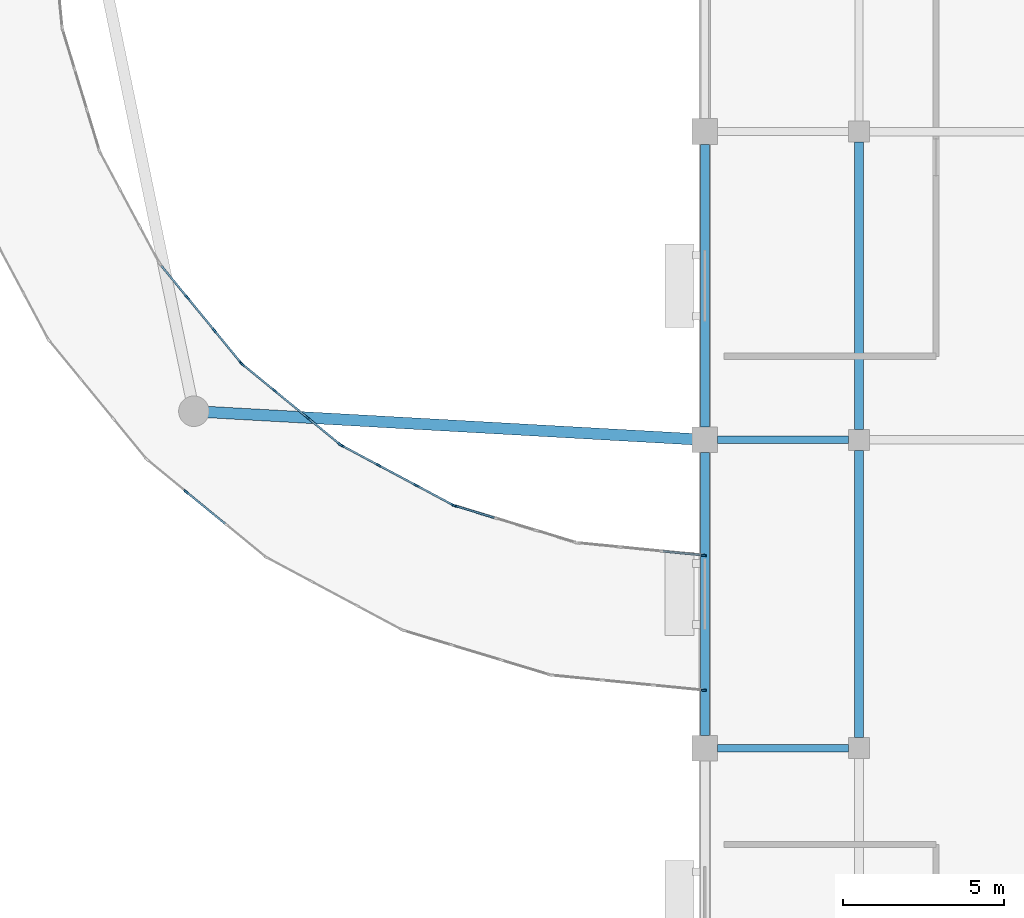
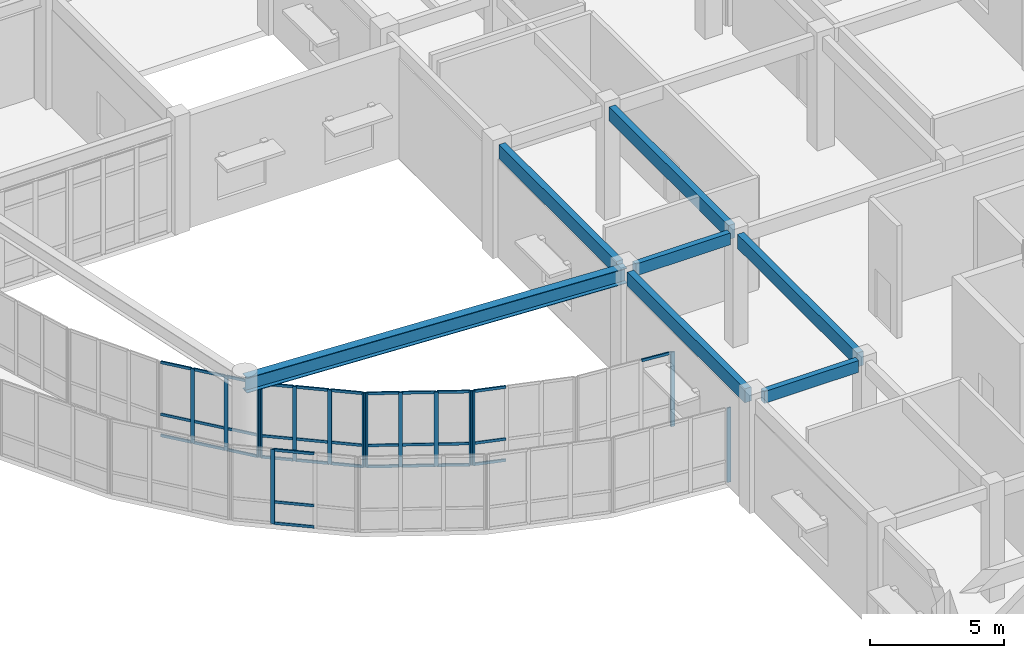
# One storey, part 32 of 72: 49 members, 7 beams, 7 elements without a shape of their own.
"""IFC4 building model written with IfcOpenShell, lengths in metres."""

from ifc_helpers import new_model, si_unit, direction, frame, origin, origin_2d, place, context, subcontext, project, spatial, rectangle, i_section, extrude, material, material_profile, profile_set, type_object, element, aggregate, save


model = new_model("IFC4")

# Units and contexts
model_context = context("Model", 3, precision=1e-05, world=origin(), true_north=direction((0.0, 1.0)))
body_context = subcontext(model_context, "Body", "Model", "MODEL_VIEW")
ifc_project = project(units=[si_unit("LENGTHUNIT", "METRE"), si_unit("AREAUNIT", "SQUARE_METRE"), si_unit("VOLUMEUNIT", "CUBIC_METRE"), si_unit("PLANEANGLEUNIT", "RADIAN"), si_unit("MASSUNIT", "GRAM", prefix="KILO")], contexts=[model_context])

# Site, building, storey
site_placement = place(None, origin())
site = spatial("IfcSite", under=ifc_project, at=site_placement, CompositionType="ELEMENT")
building_placement = place(site_placement, origin())
building = spatial("IfcBuilding", under=site, at=building_placement, Name="Veldera Park Congress Hotel", CompositionType="ELEMENT")
storey_placement = place(building_placement, frame((0.0, 0.0, 5.39990234375)))
storey = spatial("IfcBuildingStorey", under=building, at=storey_placement, Name="L01", CompositionType="ELEMENT", Elevation=5.39990234375)

# Beams
ifc_material_1 = material(Name="Glulam GL28h (NDS 24F-V4)", Category="wood")
ifc_material_profile_1 = material_profile(ifc_material_1, rectangle(XDim=0.239990234375, YDim=0.5400390625, at=origin_2d()), Name="GL28h 240x540")
ifc_profile_set_1 = profile_set([ifc_material_profile_1], Name="Glulam GL28h (NDS 24F-V4)")
beam_type_1 = type_object("IfcBeamType", Name="BM-GL540", PredefinedType="BEAM", material=ifc_profile_set_1)
for number, where, z_axis, x_axis, name in (
    (1, (61.199951171875, -9.0, 4.860107421875), (1.0, 0.0, 0.0), (0.0, 1.0, 0.0), "L01 Girder BM-GL540 583"),
    (2, (61.199951171875, 0.60009765625, 4.860107421875), (1.0, 0.0, 0.0), (0.0, 1.0, 0.0), "L01 Girder BM-GL540 587"),
):
    element("IfcBeam", number, at=place(storey_placement, frame(where, z_axis=z_axis, x_axis=x_axis)), inside=storey, type_object=beam_type_1, Name=name, PredefinedType="BEAM", context=body_context, shape_type="SweptSolid", body=[
        extrude(rectangle(XDim=0.239990234375, YDim=0.5400390625, at=origin_2d()), origin(), (0.0, 0.0, 1.0), 4.074951171875),
    ])
ifc_material_profile_2 = material_profile(ifc_material_1, rectangle(XDim=0.280029296875, YDim=0.639892578125, at=origin_2d()), Name="GL28h 280x640")
ifc_profile_set_2 = profile_set([ifc_material_profile_2], Name="Glulam GL28h (NDS 24F-V4)")
beam_type_2 = type_object("IfcBeamType", Name="BM-GL640", PredefinedType="BEAM", material=ifc_profile_set_2)
for number, where, z_axis, x_axis, name in (
    (3, (60.800048828125, -8.60009765625, 4.81005859375), (0.0, 1.0, 0.0), (-1.0, 0.0, 0.0), "L01 Girder BM-GL640 728"),
    (4, (60.800048828125, 1.0, 4.81005859375), (0.0, 1.0, 0.0), (-1.0, 0.0, 0.0), "L01 Girder BM-GL640 729"),
):
    element("IfcBeam", number, at=place(storey_placement, frame(where, z_axis=z_axis, x_axis=x_axis)), inside=storey, type_object=beam_type_2, Name=name, PredefinedType="BEAM", context=body_context, shape_type="SweptSolid", body=[
        extrude(rectangle(XDim=0.280029296875, YDim=0.639892578125, at=origin_2d()), origin(), (0.0, 0.0, 1.0), 8.800048828125),
    ])
for number, where, z_axis, x_axis, name in (
    (5, (65.60009765625, -8.675048828125, 4.81005859375), (0.0, 1.0, 0.0), (-1.0, 0.0, 0.0), "L01 Girder BM-GL640 735"),
    (6, (65.60009765625, 0.925048828125, 4.81005859375), (0.0, 1.0, 0.0), (-1.0, 0.0, 0.0), "L01 Girder BM-GL640 736"),
):
    element("IfcBeam", number, at=place(storey_placement, frame(where, z_axis=z_axis, x_axis=x_axis)), inside=storey, type_object=beam_type_2, Name=name, PredefinedType="BEAM", context=body_context, shape_type="SweptSolid", body=[
        extrude(rectangle(XDim=0.280029296875, YDim=0.639892578125, at=origin_2d()), origin(), (0.0, 0.0, 1.0), 8.949951171875),
    ])
ifc_material_2 = material(Name="Steel ASTM A992 Gr.50", Category="steel")
ifc_material_profile_3 = material_profile(ifc_material_2, i_section(OverallWidth=0.35498046875, OverallDepth=0.696044921875, WebThickness=0.015380859375, FlangeThickness=0.02490234375, at=origin_2d()), Name="W27X146")
ifc_profile_set_3 = profile_set([ifc_material_profile_3], Name="Steel ASTM A992 Gr.50")
beam_type_3 = type_object("IfcBeamType", Name="BM-W27E", PredefinedType="BEAM", material=ifc_profile_set_3)
beam_placement = place(storey_placement, frame((60.800048828125, 0.60009765625, 4.7900390625), z_axis=(-0.998439398409, 0.055845928264, 0.0), x_axis=(-0.055845928264, -0.998439398409, 0.0)))
element("IfcBeam", 7, at=beam_placement, inside=storey, type_object=beam_type_3, Name="L01 Skybridge Support Girder A E", PredefinedType="BEAM", context=body_context, shape_type="SweptSolid", body=[
    extrude(i_section(OverallWidth=0.35498046875, OverallDepth=0.696044921875, WebThickness=0.015380859375, FlangeThickness=0.02490234375, at=origin_2d()), origin(), (0.0, 0.0, 1.0), 15.934814453125),
])

# Curtain wall, member
ifc_material_3 = material(Name="Low-E Triple Insulating Glass Unit (SHGC 0.22)", Category="glass")
curtain_wall_type = type_object("IfcCurtainWallType", Name="CW-BRG", PredefinedType="NOTDEFINED", material=ifc_material_3)
curtain_wall_1_placement = place(storey_placement, origin())
curtain_wall_1 = element("IfcCurtainWall", 8, at=curtain_wall_1_placement, inside=storey, type_object=curtain_wall_type, Name="L01 Curtain Wall CW3-BRGE-L01-A04", PredefinedType="NOTDEFINED")
ifc_material_4 = material(Name="Anodised Aluminium Alloy 6063-T6", Category="aluminium")
ifc_material_profile_4 = material_profile(ifc_material_4, rectangle(XDim=0.06005859375, YDim=0.159912109375, at=origin_2d()), Name="ALU 60x160")
ifc_profile_set_4 = profile_set([ifc_material_profile_4], Name="Anodised Aluminium Alloy 6063-T6")
member_type_1 = type_object("IfcMemberType", Name="CWM-160", PredefinedType="MULLION", material=ifc_profile_set_4)
member_1_placement = place(storey_placement, frame((44.647705078125, -1.0146484375, 0.0), z_axis=(0.0, 0.0, 1.0), x_axis=(0.634402404183, 0.773002968666, 0.0)))
member_1 = element("IfcMember", 9, at=member_1_placement, type_object=member_type_1, Name="CW-BRG mullion 2", PredefinedType="MULLION", context=body_context, shape_type="SweptSolid", body=[
    extrude(rectangle(XDim=0.06005859375, YDim=0.159912109375, at=origin_2d()), origin(), (0.0, 0.0, 1.0), 3.400146484375),
])

curtain_wall_2_placement = place(storey_placement, origin())
curtain_wall_2 = element("IfcCurtainWall", 10, at=curtain_wall_2_placement, inside=storey, type_object=curtain_wall_type, Name="L01 Curtain Wall CW3-BRGE-L01-A07", PredefinedType="NOTDEFINED")
member_2_placement = place(storey_placement, frame((60.770263671875, -7.197021484375, 0.0), z_axis=(0.0, 0.0, 1.0), x_axis=(0.098021259481, 0.995184320963, 0.0)))
member_2 = element("IfcMember", 11, at=member_2_placement, type_object=member_type_1, Name="CW-BRG mullion 4", PredefinedType="MULLION", context=body_context, shape_type="SweptSolid", body=[
    extrude(rectangle(XDim=0.06005859375, YDim=0.159912109375, at=origin_2d()), origin(), (0.0, 0.0, 1.0), 3.400146484375),
])
aggregate(curtain_wall_2, [member_2])

curtain_wall_3_placement = place(storey_placement, origin())
curtain_wall_3 = element("IfcCurtainWall", 12, at=curtain_wall_3_placement, inside=storey, type_object=curtain_wall_type, Name="L01 Curtain Wall CW3-BRGE-L01-B09", PredefinedType="NOTDEFINED")
member_3_placement = place(storey_placement, frame((60.770263671875, -2.9970703125, 0.0), z_axis=(0.0, 0.0, 1.0), x_axis=(-0.098023062513, -0.99518414337, 0.0)))
member_3 = element("IfcMember", 13, at=member_3_placement, type_object=member_type_1, Name="CW-BRG mullion 1", PredefinedType="MULLION", context=body_context, shape_type="SweptSolid", body=[
    extrude(rectangle(XDim=0.06005859375, YDim=0.159912109375, at=origin_2d()), origin(), (0.0, 0.0, 1.0), 3.400146484375),
])

curtain_wall_4_placement = place(storey_placement, origin())
curtain_wall_4 = element("IfcCurtainWall", 14, at=curtain_wall_4_placement, inside=storey, type_object=curtain_wall_type, Name="L01 Curtain Wall CW3-BRGE-L01-B10", PredefinedType="NOTDEFINED")
member_4_placement = place(storey_placement, frame((53.02197265625, -1.455810546875, 0.0), z_axis=(0.0, 0.0, 1.0), x_axis=(-0.290289846929, -0.956938767513, 0.0)))
member_4 = element("IfcMember", 15, at=member_4_placement, type_object=member_type_1, Name="CW-BRG mullion 4", PredefinedType="MULLION", context=body_context, shape_type="SweptSolid", body=[
    extrude(rectangle(XDim=0.06005859375, YDim=0.159912109375, at=origin_2d()), origin(), (0.0, 0.0, 1.0), 3.400146484375),
])

# Curtain wall, members
curtain_wall_5_placement = place(storey_placement, origin())
curtain_wall_5 = element("IfcCurtainWall", 16, at=curtain_wall_5_placement, inside=storey, type_object=curtain_wall_type, Name="L01 Curtain Wall CW3-BRGE-L01-B11", PredefinedType="NOTDEFINED")
member_5_placement = place(storey_placement, frame((52.966796875, -1.432861328125, 0.0), z_axis=(0.0, 0.0, 1.0), x_axis=(-0.471383642588, -0.881928263239, 0.0)))
member_5 = element("IfcMember", 17, at=member_5_placement, type_object=member_type_1, Name="CW-BRG mullion 1", PredefinedType="MULLION", context=body_context, shape_type="SweptSolid", body=[
    extrude(rectangle(XDim=0.06005859375, YDim=0.159912109375, at=origin_2d()), origin(), (0.0, 0.0, 1.0), 3.400146484375),
])
member_6_placement = place(storey_placement, frame((51.817626953125, -0.81884765625, 0.0), z_axis=(0.0, 0.0, 1.0), x_axis=(-0.471383642588, -0.881928263239, 0.0)))
member_6 = element("IfcMember", 18, at=member_6_placement, type_object=member_type_1, Name="CW-BRG mullion 2", PredefinedType="MULLION", context=body_context, shape_type="SweptSolid", body=[
    extrude(rectangle(XDim=0.06005859375, YDim=0.159912109375, at=origin_2d()), origin(), (0.0, 0.0, 1.0), 3.400146484375),
])
member_7_placement = place(storey_placement, frame((50.64208984375, -0.1904296875, 0.0), z_axis=(0.0, 0.0, 1.0), x_axis=(-0.471383642588, -0.881928263239, 0.0)))
member_7 = element("IfcMember", 19, at=member_7_placement, type_object=member_type_1, Name="CW-BRG mullion 3", PredefinedType="MULLION", context=body_context, shape_type="SweptSolid", body=[
    extrude(rectangle(XDim=0.06005859375, YDim=0.159912109375, at=origin_2d()), origin(), (0.0, 0.0, 1.0), 3.400146484375),
])
member_8_placement = place(storey_placement, frame((49.492919921875, 0.423828125, 0.0), z_axis=(0.0, 0.0, 1.0), x_axis=(-0.471383642588, -0.881928263239, 0.0)))
member_8 = element("IfcMember", 20, at=member_8_placement, type_object=member_type_1, Name="CW-BRG mullion 4", PredefinedType="MULLION", context=body_context, shape_type="SweptSolid", body=[
    extrude(rectangle(XDim=0.06005859375, YDim=0.159912109375, at=origin_2d()), origin(), (0.0, 0.0, 1.0), 3.400146484375),
])

curtain_wall_6_placement = place(storey_placement, origin())
curtain_wall_6 = element("IfcCurtainWall", 21, at=curtain_wall_6_placement, inside=storey, type_object=curtain_wall_type, Name="L01 Curtain Wall CW3-BRGE-L01-B12", PredefinedType="NOTDEFINED")
member_9_placement = place(storey_placement, frame((49.443115234375, 0.45703125, 0.0), z_axis=(0.0, 0.0, 1.0), x_axis=(-0.634386349036, -0.773016144823, 0.0)))
member_9 = element("IfcMember", 22, at=member_9_placement, type_object=member_type_1, Name="CW-BRG mullion 1", PredefinedType="MULLION", context=body_context, shape_type="SweptSolid", body=[
    extrude(rectangle(XDim=0.06005859375, YDim=0.159912109375, at=origin_2d()), origin(), (0.0, 0.0, 1.0), 3.400146484375),
])
member_10_placement = place(storey_placement, frame((48.43603515625, 1.28369140625, 0.0), z_axis=(0.0, 0.0, 1.0), x_axis=(-0.634386349036, -0.773016144823, 0.0)))
member_10 = element("IfcMember", 23, at=member_10_placement, type_object=member_type_1, Name="CW-BRG mullion 2", PredefinedType="MULLION", context=body_context, shape_type="SweptSolid", body=[
    extrude(rectangle(XDim=0.06005859375, YDim=0.159912109375, at=origin_2d()), origin(), (0.0, 0.0, 1.0), 3.400146484375),
])
member_11_placement = place(storey_placement, frame((47.405517578125, 2.12939453125, 0.0), z_axis=(0.0, 0.0, 1.0), x_axis=(-0.634386349036, -0.773016144823, 0.0)))
member_11 = element("IfcMember", 24, at=member_11_placement, type_object=member_type_1, Name="CW-BRG mullion 3", PredefinedType="MULLION", context=body_context, shape_type="SweptSolid", body=[
    extrude(rectangle(XDim=0.06005859375, YDim=0.159912109375, at=origin_2d()), origin(), (0.0, 0.0, 1.0), 3.400146484375),
])
member_12_placement = place(storey_placement, frame((46.398193359375, 2.9560546875, 0.0), z_axis=(0.0, 0.0, 1.0), x_axis=(-0.634386349036, -0.773016144823, 0.0)))
member_12 = element("IfcMember", 25, at=member_12_placement, type_object=member_type_1, Name="CW-BRG mullion 4", PredefinedType="MULLION", context=body_context, shape_type="SweptSolid", body=[
    extrude(rectangle(XDim=0.06005859375, YDim=0.159912109375, at=origin_2d()), origin(), (0.0, 0.0, 1.0), 3.400146484375),
])

curtain_wall_7_placement = place(storey_placement, origin())
curtain_wall_7 = element("IfcCurtainWall", 26, at=curtain_wall_7_placement, inside=storey, type_object=curtain_wall_type, Name="L01 Curtain Wall CW3-BRGE-L01-B13", PredefinedType="NOTDEFINED")
member_13_placement = place(storey_placement, frame((46.35595703125, 2.998291015625, 0.0), z_axis=(0.0, 0.0, 1.0), x_axis=(-0.773016144823, -0.634386349036, 0.0)))
member_13 = element("IfcMember", 27, at=member_13_placement, type_object=member_type_1, Name="CW-BRG mullion 1", PredefinedType="MULLION", context=body_context, shape_type="SweptSolid", body=[
    extrude(rectangle(XDim=0.06005859375, YDim=0.159912109375, at=origin_2d()), origin(), (0.0, 0.0, 1.0), 3.400146484375),
])
member_14_placement = place(storey_placement, frame((45.529296875, 4.00537109375, 0.0), z_axis=(0.0, 0.0, 1.0), x_axis=(-0.773016144823, -0.634386349036, 0.0)))
member_14 = element("IfcMember", 28, at=member_14_placement, type_object=member_type_1, Name="CW-BRG mullion 2", PredefinedType="MULLION", context=body_context, shape_type="SweptSolid", body=[
    extrude(rectangle(XDim=0.06005859375, YDim=0.159912109375, at=origin_2d()), origin(), (0.0, 0.0, 1.0), 3.400146484375),
])
member_15_placement = place(storey_placement, frame((44.68359375, 5.035888671875, 0.0), z_axis=(0.0, 0.0, 1.0), x_axis=(-0.773016144823, -0.634386349036, 0.0)))
member_15 = element("IfcMember", 29, at=member_15_placement, type_object=member_type_1, Name="CW-BRG mullion 3", PredefinedType="MULLION", context=body_context, shape_type="SweptSolid", body=[
    extrude(rectangle(XDim=0.06005859375, YDim=0.159912109375, at=origin_2d()), origin(), (0.0, 0.0, 1.0), 3.400146484375),
])

# Member
ifc_material_profile_5 = material_profile(ifc_material_4, rectangle(XDim=0.06005859375, YDim=0.1201171875, at=origin_2d()), Name="ALU 60x120")
ifc_profile_set_5 = profile_set([ifc_material_profile_5], Name="Anodised Aluminium Alloy 6063-T6")
member_type_2 = type_object("IfcMemberType", Name="CWT-120", PredefinedType="USERDEFINED", material=ifc_profile_set_5)
member_16_placement = place(storey_placement, frame((44.6708984375, -1.03369140625, 0.030029296875), z_axis=(0.773035679716, -0.634362544518, 0.0), x_axis=(0.634362544518, 0.773035679716, 0.0)))
member_16 = element("IfcMember", 30, at=member_16_placement, type_object=member_type_2, Name="CW-BRG transom 2.1", ObjectType="TRANSOM", PredefinedType="USERDEFINED", context=body_context, shape_type="SweptSolid", body=[
    extrude(rectangle(XDim=0.06005859375, YDim=0.1201171875, at=origin_2d()), origin(), (0.0, 0.0, 1.0), 1.547607421875),
])

member_17_placement = place(storey_placement, frame((44.6708984375, -1.03369140625, 1.0), z_axis=(0.773035679716, -0.634362544518, 0.0), x_axis=(0.634362544518, 0.773035679716, 0.0)))
member_17 = element("IfcMember", 31, at=member_17_placement, type_object=member_type_2, Name="CW-BRG transom 2.2", ObjectType="TRANSOM", PredefinedType="USERDEFINED", context=body_context, shape_type="SweptSolid", body=[
    extrude(rectangle(XDim=0.06005859375, YDim=0.1201171875, at=origin_2d()), origin(), (0.0, 0.0, 1.0), 1.547607421875),
])

member_18_placement = place(storey_placement, frame((44.6708984375, -1.03369140625, 3.3701171875), z_axis=(0.773035679716, -0.634362544518, 0.0), x_axis=(0.634362544518, 0.773035679716, 0.0)))
member_18 = element("IfcMember", 32, at=member_18_placement, type_object=member_type_2, Name="CW-BRG transom 2.3", ObjectType="TRANSOM", PredefinedType="USERDEFINED", context=body_context, shape_type="SweptSolid", body=[
    extrude(rectangle(XDim=0.06005859375, YDim=0.1201171875, at=origin_2d()), origin(), (0.0, 0.0, 1.0), 1.547607421875),
])

aggregate(curtain_wall_1, [member_1, member_16, member_17, member_18])

member_19_placement = place(storey_placement, frame((60.740234375, -2.994140625, 3.3701171875), z_axis=(-0.995185798349, 0.098006258807, 0.0), x_axis=(-0.098006258807, -0.995185798349, 0.0)))
member_19 = element("IfcMember", 33, at=member_19_placement, type_object=member_type_2, Name="CW-BRG transom 1.3", ObjectType="TRANSOM", PredefinedType="USERDEFINED", context=body_context, shape_type="SweptSolid", body=[
    extrude(rectangle(XDim=0.06005859375, YDim=0.1201171875, at=origin_2d()), origin(), (0.0, 0.0, 1.0), 1.2431640625),
])

aggregate(curtain_wall_3, [member_3, member_19])

member_20_placement = place(storey_placement, frame((54.240234375, -1.825439453125, 0.030029296875), z_axis=(-0.956935154583, 0.290301756665, 0.0), x_axis=(-0.290301756665, -0.956935154583, 0.0)))
member_20 = element("IfcMember", 34, at=member_20_placement, type_object=member_type_2, Name="CW-BRG transom 3.1", ObjectType="TRANSOM", PredefinedType="USERDEFINED", context=body_context, shape_type="SweptSolid", body=[
    extrude(rectangle(XDim=0.06005859375, YDim=0.1201171875, at=origin_2d()), origin(), (0.0, 0.0, 1.0), 1.242919921875),
])

member_21_placement = place(storey_placement, frame((54.240234375, -1.825439453125, 1.0), z_axis=(-0.956935154583, 0.290301756665, 0.0), x_axis=(-0.290301756665, -0.956935154583, 0.0)))
member_21 = element("IfcMember", 35, at=member_21_placement, type_object=member_type_2, Name="CW-BRG transom 3.2", ObjectType="TRANSOM", PredefinedType="USERDEFINED", context=body_context, shape_type="SweptSolid", body=[
    extrude(rectangle(XDim=0.06005859375, YDim=0.1201171875, at=origin_2d()), origin(), (0.0, 0.0, 1.0), 1.242919921875),
])

member_22_placement = place(storey_placement, frame((54.240234375, -1.825439453125, 3.3701171875), z_axis=(-0.956935154583, 0.290301756665, 0.0), x_axis=(-0.290301756665, -0.956935154583, 0.0)))
member_22 = element("IfcMember", 36, at=member_22_placement, type_object=member_type_2, Name="CW-BRG transom 3.3", ObjectType="TRANSOM", PredefinedType="USERDEFINED", context=body_context, shape_type="SweptSolid", body=[
    extrude(rectangle(XDim=0.06005859375, YDim=0.1201171875, at=origin_2d()), origin(), (0.0, 0.0, 1.0), 1.242919921875),
])

aggregate(curtain_wall_4, [member_4, member_20, member_21, member_22])

member_23_placement = place(storey_placement, frame((52.9404296875, -1.418701171875, 0.030029296875), z_axis=(-0.881917589752, 0.471403611449, 0.0), x_axis=(-0.471403611449, -0.881917589752, 0.0)))
member_23 = element("IfcMember", 37, at=member_23_placement, type_object=member_type_2, Name="CW-BRG transom 1.1", ObjectType="TRANSOM", PredefinedType="USERDEFINED", context=body_context, shape_type="SweptSolid", body=[
    extrude(rectangle(XDim=0.06005859375, YDim=0.1201171875, at=origin_2d()), origin(), (0.0, 0.0, 1.0), 1.242919921875),
])

member_24_placement = place(storey_placement, frame((52.9404296875, -1.418701171875, 1.0), z_axis=(-0.881917589752, 0.471403611449, 0.0), x_axis=(-0.471403611449, -0.881917589752, 0.0)))
member_24 = element("IfcMember", 38, at=member_24_placement, type_object=member_type_2, Name="CW-BRG transom 1.2", ObjectType="TRANSOM", PredefinedType="USERDEFINED", context=body_context, shape_type="SweptSolid", body=[
    extrude(rectangle(XDim=0.06005859375, YDim=0.1201171875, at=origin_2d()), origin(), (0.0, 0.0, 1.0), 1.242919921875),
])

member_25_placement = place(storey_placement, frame((52.9404296875, -1.418701171875, 3.3701171875), z_axis=(-0.881917589752, 0.471403611449, 0.0), x_axis=(-0.471403611449, -0.881917589752, 0.0)))
member_25 = element("IfcMember", 39, at=member_25_placement, type_object=member_type_2, Name="CW-BRG transom 1.3", ObjectType="TRANSOM", PredefinedType="USERDEFINED", context=body_context, shape_type="SweptSolid", body=[
    extrude(rectangle(XDim=0.06005859375, YDim=0.1201171875, at=origin_2d()), origin(), (0.0, 0.0, 1.0), 1.242919921875),
])

member_26_placement = place(storey_placement, frame((51.791259765625, -0.8046875, 0.030029296875), z_axis=(-0.88193854117, 0.471364412741, 0.0), x_axis=(-0.471364412741, -0.88193854117, 0.0)))
member_26 = element("IfcMember", 40, at=member_26_placement, type_object=member_type_2, Name="CW-BRG transom 2.1", ObjectType="TRANSOM", PredefinedType="USERDEFINED", context=body_context, shape_type="SweptSolid", body=[
    extrude(rectangle(XDim=0.06005859375, YDim=0.1201171875, at=origin_2d()), origin(), (0.0, 0.0, 1.0), 1.273193359375),
])

member_27_placement = place(storey_placement, frame((51.791259765625, -0.8046875, 1.0), z_axis=(-0.88193854117, 0.471364412741, 0.0), x_axis=(-0.471364412741, -0.88193854117, 0.0)))
member_27 = element("IfcMember", 41, at=member_27_placement, type_object=member_type_2, Name="CW-BRG transom 2.2", ObjectType="TRANSOM", PredefinedType="USERDEFINED", context=body_context, shape_type="SweptSolid", body=[
    extrude(rectangle(XDim=0.06005859375, YDim=0.1201171875, at=origin_2d()), origin(), (0.0, 0.0, 1.0), 1.273193359375),
])

member_28_placement = place(storey_placement, frame((51.791259765625, -0.8046875, 3.3701171875), z_axis=(-0.88193854117, 0.471364412741, 0.0), x_axis=(-0.471364412741, -0.88193854117, 0.0)))
member_28 = element("IfcMember", 42, at=member_28_placement, type_object=member_type_2, Name="CW-BRG transom 2.3", ObjectType="TRANSOM", PredefinedType="USERDEFINED", context=body_context, shape_type="SweptSolid", body=[
    extrude(rectangle(XDim=0.06005859375, YDim=0.1201171875, at=origin_2d()), origin(), (0.0, 0.0, 1.0), 1.273193359375),
])

member_29_placement = place(storey_placement, frame((50.615478515625, -0.17626953125, 0.030029296875), z_axis=(-0.881917589752, 0.471403611449, 0.0), x_axis=(-0.471403611449, -0.881917589752, 0.0)))
member_29 = element("IfcMember", 43, at=member_29_placement, type_object=member_type_2, Name="CW-BRG transom 3.1", ObjectType="TRANSOM", PredefinedType="USERDEFINED", context=body_context, shape_type="SweptSolid", body=[
    extrude(rectangle(XDim=0.06005859375, YDim=0.1201171875, at=origin_2d()), origin(), (0.0, 0.0, 1.0), 1.242919921875),
])

member_30_placement = place(storey_placement, frame((50.615478515625, -0.17626953125, 1.0), z_axis=(-0.881917589752, 0.471403611449, 0.0), x_axis=(-0.471403611449, -0.881917589752, 0.0)))
member_30 = element("IfcMember", 44, at=member_30_placement, type_object=member_type_2, Name="CW-BRG transom 3.2", ObjectType="TRANSOM", PredefinedType="USERDEFINED", context=body_context, shape_type="SweptSolid", body=[
    extrude(rectangle(XDim=0.06005859375, YDim=0.1201171875, at=origin_2d()), origin(), (0.0, 0.0, 1.0), 1.242919921875),
])

member_31_placement = place(storey_placement, frame((50.615478515625, -0.17626953125, 3.3701171875), z_axis=(-0.881917589752, 0.471403611449, 0.0), x_axis=(-0.471403611449, -0.881917589752, 0.0)))
member_31 = element("IfcMember", 45, at=member_31_placement, type_object=member_type_2, Name="CW-BRG transom 3.3", ObjectType="TRANSOM", PredefinedType="USERDEFINED", context=body_context, shape_type="SweptSolid", body=[
    extrude(rectangle(XDim=0.06005859375, YDim=0.1201171875, at=origin_2d()), origin(), (0.0, 0.0, 1.0), 1.242919921875),
])

aggregate(curtain_wall_5, [member_5, member_6, member_7, member_8, member_23, member_24, member_25, member_26, member_27, member_28, member_29, member_30, member_31])

member_32_placement = place(storey_placement, frame((49.419921875, 0.47607421875, 0.030029296875), z_axis=(-0.772949863843, 0.634467105518, 0.0), x_axis=(-0.634467105518, -0.772949863843, 0.0)))
member_32 = element("IfcMember", 46, at=member_32_placement, type_object=member_type_2, Name="CW-BRG transom 1.1", ObjectType="TRANSOM", PredefinedType="USERDEFINED", context=body_context, shape_type="SweptSolid", body=[
    extrude(rectangle(XDim=0.06005859375, YDim=0.1201171875, at=origin_2d()), origin(), (0.0, 0.0, 1.0), 1.242919921875),
])

member_33_placement = place(storey_placement, frame((49.419921875, 0.47607421875, 1.0), z_axis=(-0.772949863843, 0.634467105518, 0.0), x_axis=(-0.634467105518, -0.772949863843, 0.0)))
member_33 = element("IfcMember", 47, at=member_33_placement, type_object=member_type_2, Name="CW-BRG transom 1.2", ObjectType="TRANSOM", PredefinedType="USERDEFINED", context=body_context, shape_type="SweptSolid", body=[
    extrude(rectangle(XDim=0.06005859375, YDim=0.1201171875, at=origin_2d()), origin(), (0.0, 0.0, 1.0), 1.242919921875),
])

member_34_placement = place(storey_placement, frame((49.419921875, 0.47607421875, 3.3701171875), z_axis=(-0.772949863843, 0.634467105518, 0.0), x_axis=(-0.634467105518, -0.772949863843, 0.0)))
member_34 = element("IfcMember", 48, at=member_34_placement, type_object=member_type_2, Name="CW-BRG transom 1.3", ObjectType="TRANSOM", PredefinedType="USERDEFINED", context=body_context, shape_type="SweptSolid", body=[
    extrude(rectangle(XDim=0.06005859375, YDim=0.1201171875, at=origin_2d()), origin(), (0.0, 0.0, 1.0), 1.242919921875),
])

member_35_placement = place(storey_placement, frame((48.412841796875, 1.302734375, 0.030029296875), z_axis=(-0.773025143163, 0.634375384168, 0.0), x_axis=(-0.634375384168, -0.773025143163, 0.0)))
member_35 = element("IfcMember", 49, at=member_35_placement, type_object=member_type_2, Name="CW-BRG transom 2.1", ObjectType="TRANSOM", PredefinedType="USERDEFINED", context=body_context, shape_type="SweptSolid", body=[
    extrude(rectangle(XDim=0.06005859375, YDim=0.1201171875, at=origin_2d()), origin(), (0.0, 0.0, 1.0), 1.273193359375),
])

member_36_placement = place(storey_placement, frame((48.412841796875, 1.302734375, 1.0), z_axis=(-0.773025143163, 0.634375384168, 0.0), x_axis=(-0.634375384168, -0.773025143163, 0.0)))
member_36 = element("IfcMember", 50, at=member_36_placement, type_object=member_type_2, Name="CW-BRG transom 2.2", ObjectType="TRANSOM", PredefinedType="USERDEFINED", context=body_context, shape_type="SweptSolid", body=[
    extrude(rectangle(XDim=0.06005859375, YDim=0.1201171875, at=origin_2d()), origin(), (0.0, 0.0, 1.0), 1.273193359375),
])

member_37_placement = place(storey_placement, frame((48.412841796875, 1.302734375, 3.3701171875), z_axis=(-0.773025143163, 0.634375384168, 0.0), x_axis=(-0.634375384168, -0.773025143163, 0.0)))
member_37 = element("IfcMember", 51, at=member_37_placement, type_object=member_type_2, Name="CW-BRG transom 2.3", ObjectType="TRANSOM", PredefinedType="USERDEFINED", context=body_context, shape_type="SweptSolid", body=[
    extrude(rectangle(XDim=0.06005859375, YDim=0.1201171875, at=origin_2d()), origin(), (0.0, 0.0, 1.0), 1.273193359375),
])

member_38_placement = place(storey_placement, frame((47.38232421875, 2.1484375, 0.030029296875), z_axis=(-0.773028918218, 0.634370784005, 0.0), x_axis=(-0.634370784005, -0.773028918218, 0.0)))
member_38 = element("IfcMember", 52, at=member_38_placement, type_object=member_type_2, Name="CW-BRG transom 3.1", ObjectType="TRANSOM", PredefinedType="USERDEFINED", context=body_context, shape_type="SweptSolid", body=[
    extrude(rectangle(XDim=0.06005859375, YDim=0.1201171875, at=origin_2d()), origin(), (0.0, 0.0, 1.0), 1.2431640625),
])

member_39_placement = place(storey_placement, frame((47.38232421875, 2.1484375, 1.0), z_axis=(-0.773028918218, 0.634370784005, 0.0), x_axis=(-0.634370784005, -0.773028918218, 0.0)))
member_39 = element("IfcMember", 53, at=member_39_placement, type_object=member_type_2, Name="CW-BRG transom 3.2", ObjectType="TRANSOM", PredefinedType="USERDEFINED", context=body_context, shape_type="SweptSolid", body=[
    extrude(rectangle(XDim=0.06005859375, YDim=0.1201171875, at=origin_2d()), origin(), (0.0, 0.0, 1.0), 1.2431640625),
])

member_40_placement = place(storey_placement, frame((47.38232421875, 2.1484375, 3.3701171875), z_axis=(-0.773028918218, 0.634370784005, 0.0), x_axis=(-0.634370784005, -0.773028918218, 0.0)))
member_40 = element("IfcMember", 54, at=member_40_placement, type_object=member_type_2, Name="CW-BRG transom 3.3", ObjectType="TRANSOM", PredefinedType="USERDEFINED", context=body_context, shape_type="SweptSolid", body=[
    extrude(rectangle(XDim=0.06005859375, YDim=0.1201171875, at=origin_2d()), origin(), (0.0, 0.0, 1.0), 1.2431640625),
])

aggregate(curtain_wall_6, [member_9, member_10, member_11, member_12, member_32, member_33, member_34, member_35, member_36, member_37, member_38, member_39, member_40])

member_41_placement = place(storey_placement, frame((46.3369140625, 3.021484375, 0.030029296875), z_axis=(-0.634467105518, 0.772949863843, 0.0), x_axis=(-0.772949863843, -0.634467105518, 0.0)))
member_41 = element("IfcMember", 55, at=member_41_placement, type_object=member_type_2, Name="CW-BRG transom 1.1", ObjectType="TRANSOM", PredefinedType="USERDEFINED", context=body_context, shape_type="SweptSolid", body=[
    extrude(rectangle(XDim=0.06005859375, YDim=0.1201171875, at=origin_2d()), origin(), (0.0, 0.0, 1.0), 1.242919921875),
])

member_42_placement = place(storey_placement, frame((46.3369140625, 3.021484375, 1.0), z_axis=(-0.634467105518, 0.772949863843, 0.0), x_axis=(-0.772949863843, -0.634467105518, 0.0)))
member_42 = element("IfcMember", 56, at=member_42_placement, type_object=member_type_2, Name="CW-BRG transom 1.2", ObjectType="TRANSOM", PredefinedType="USERDEFINED", context=body_context, shape_type="SweptSolid", body=[
    extrude(rectangle(XDim=0.06005859375, YDim=0.1201171875, at=origin_2d()), origin(), (0.0, 0.0, 1.0), 1.242919921875),
])

member_43_placement = place(storey_placement, frame((46.3369140625, 3.021484375, 3.3701171875), z_axis=(-0.634467105518, 0.772949863843, 0.0), x_axis=(-0.772949863843, -0.634467105518, 0.0)))
member_43 = element("IfcMember", 57, at=member_43_placement, type_object=member_type_2, Name="CW-BRG transom 1.3", ObjectType="TRANSOM", PredefinedType="USERDEFINED", context=body_context, shape_type="SweptSolid", body=[
    extrude(rectangle(XDim=0.06005859375, YDim=0.1201171875, at=origin_2d()), origin(), (0.0, 0.0, 1.0), 1.242919921875),
])

member_44_placement = place(storey_placement, frame((45.51025390625, 4.028564453125, 0.030029296875), z_axis=(-0.634375384168, 0.773025143163, 0.0), x_axis=(-0.773025143163, -0.634375384168, 0.0)))
member_44 = element("IfcMember", 58, at=member_44_placement, type_object=member_type_2, Name="CW-BRG transom 2.1", ObjectType="TRANSOM", PredefinedType="USERDEFINED", context=body_context, shape_type="SweptSolid", body=[
    extrude(rectangle(XDim=0.06005859375, YDim=0.1201171875, at=origin_2d()), origin(), (0.0, 0.0, 1.0), 1.273193359375),
])

member_45_placement = place(storey_placement, frame((45.51025390625, 4.028564453125, 1.0), z_axis=(-0.634375384168, 0.773025143163, 0.0), x_axis=(-0.773025143163, -0.634375384168, 0.0)))
member_45 = element("IfcMember", 59, at=member_45_placement, type_object=member_type_2, Name="CW-BRG transom 2.2", ObjectType="TRANSOM", PredefinedType="USERDEFINED", context=body_context, shape_type="SweptSolid", body=[
    extrude(rectangle(XDim=0.06005859375, YDim=0.1201171875, at=origin_2d()), origin(), (0.0, 0.0, 1.0), 1.273193359375),
])

member_46_placement = place(storey_placement, frame((45.51025390625, 4.028564453125, 3.3701171875), z_axis=(-0.634375384168, 0.773025143163, 0.0), x_axis=(-0.773025143163, -0.634375384168, 0.0)))
member_46 = element("IfcMember", 60, at=member_46_placement, type_object=member_type_2, Name="CW-BRG transom 2.3", ObjectType="TRANSOM", PredefinedType="USERDEFINED", context=body_context, shape_type="SweptSolid", body=[
    extrude(rectangle(XDim=0.06005859375, YDim=0.1201171875, at=origin_2d()), origin(), (0.0, 0.0, 1.0), 1.273193359375),
])

member_47_placement = place(storey_placement, frame((44.66455078125, 5.05908203125, 0.030029296875), z_axis=(-0.634370784005, 0.773028918218, 0.0), x_axis=(-0.773028918218, -0.634370784005, 0.0)))
member_47 = element("IfcMember", 61, at=member_47_placement, type_object=member_type_2, Name="CW-BRG transom 3.1", ObjectType="TRANSOM", PredefinedType="USERDEFINED", context=body_context, shape_type="SweptSolid", body=[
    extrude(rectangle(XDim=0.06005859375, YDim=0.1201171875, at=origin_2d()), origin(), (0.0, 0.0, 1.0), 1.2431640625),
])

member_48_placement = place(storey_placement, frame((44.66455078125, 5.05908203125, 1.0), z_axis=(-0.634370784005, 0.773028918218, 0.0), x_axis=(-0.773028918218, -0.634370784005, 0.0)))
member_48 = element("IfcMember", 62, at=member_48_placement, type_object=member_type_2, Name="CW-BRG transom 3.2", ObjectType="TRANSOM", PredefinedType="USERDEFINED", context=body_context, shape_type="SweptSolid", body=[
    extrude(rectangle(XDim=0.06005859375, YDim=0.1201171875, at=origin_2d()), origin(), (0.0, 0.0, 1.0), 1.2431640625),
])

member_49_placement = place(storey_placement, frame((44.66455078125, 5.05908203125, 3.3701171875), z_axis=(-0.634370784005, 0.773028918218, 0.0), x_axis=(-0.773028918218, -0.634370784005, 0.0)))
member_49 = element("IfcMember", 63, at=member_49_placement, type_object=member_type_2, Name="CW-BRG transom 3.3", ObjectType="TRANSOM", PredefinedType="USERDEFINED", context=body_context, shape_type="SweptSolid", body=[
    extrude(rectangle(XDim=0.06005859375, YDim=0.1201171875, at=origin_2d()), origin(), (0.0, 0.0, 1.0), 1.2431640625),
])

aggregate(curtain_wall_7, [member_13, member_14, member_15, member_41, member_42, member_43, member_44, member_45, member_46, member_47, member_48, member_49])

save(model, "model.ifc")
